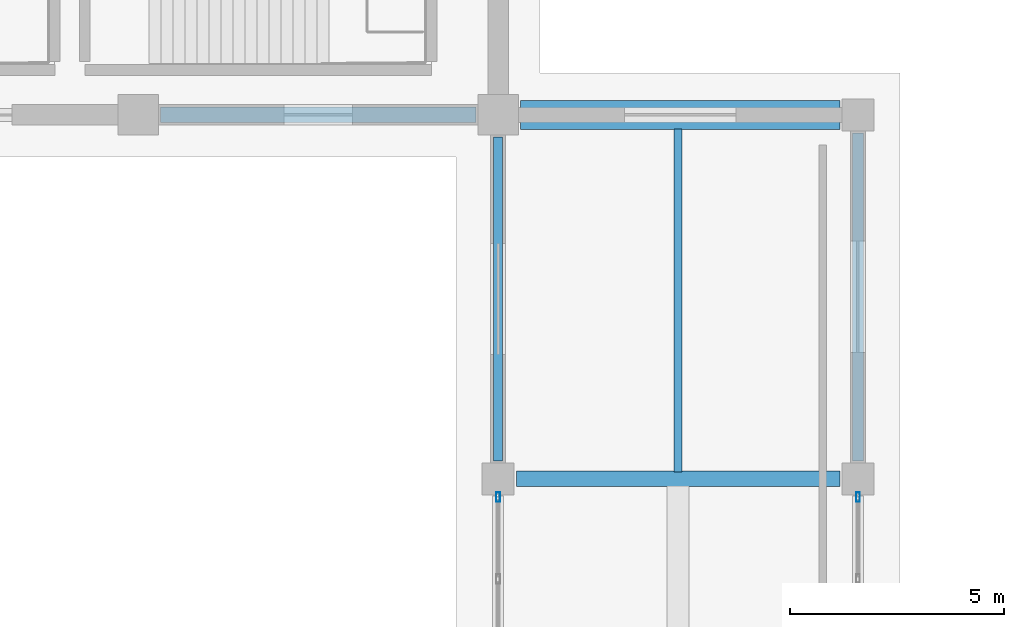
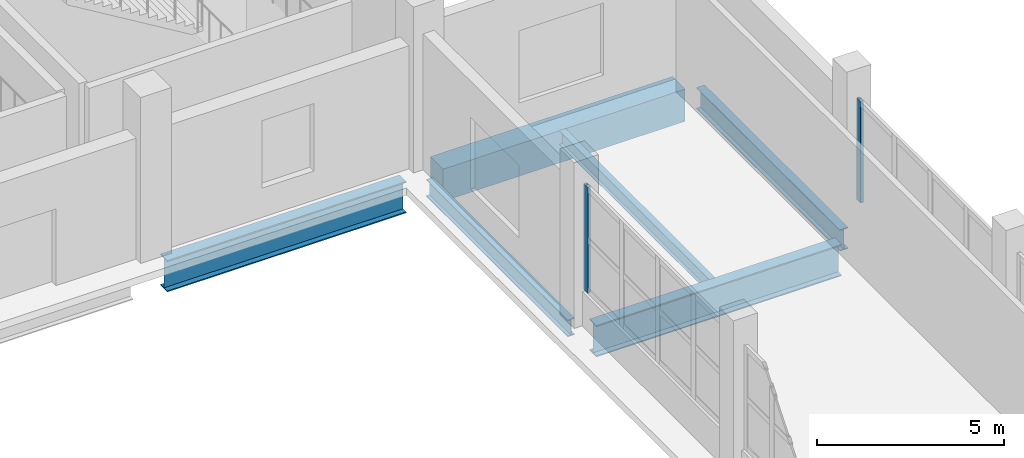
# One storey, part 53 of 107: 6 beams, 2 members, 2 elements without a shape of their own.
"""IFC4 building model written with IfcOpenShell, lengths in metres."""

from ifc_helpers import new_model, si_unit, direction, frame, origin, origin_2d, place, context, subcontext, project, spatial, rectangle, hollow_rectangle, i_section, extrude, material, material_profile, profile_set, type_object, element, aggregate, save


model = new_model("IFC4")

# Units and contexts
model_context = context("Model", 3, precision=1e-05, world=origin(), true_north=direction((0.0, 1.0)))
body_context = subcontext(model_context, "Body", "Model", "MODEL_VIEW")
ifc_project = project(units=[si_unit("LENGTHUNIT", "METRE"), si_unit("AREAUNIT", "SQUARE_METRE"), si_unit("VOLUMEUNIT", "CUBIC_METRE"), si_unit("PLANEANGLEUNIT", "RADIAN"), si_unit("MASSUNIT", "GRAM", prefix="KILO")], contexts=[model_context])

# Site, building, storey
site_placement = place(None, origin())
site = spatial("IfcSite", under=ifc_project, at=site_placement, CompositionType="ELEMENT")
building_placement = place(site_placement, origin())
building = spatial("IfcBuilding", under=site, at=building_placement, Name="Solvento Point Concert Hall", CompositionType="ELEMENT")
storey_placement = place(building_placement, origin())
storey = spatial("IfcBuildingStorey", under=building, at=storey_placement, Name="L00", CompositionType="ELEMENT", Elevation=0.0)

# Beams
ifc_material_1 = material(Name="Structural Steel ASTM A992 Grade 50", Category="steel")
ifc_material_profile_1 = material_profile(ifc_material_1, i_section(OverallWidth=0.214111328125, OverallDepth=0.549072265625, WebThickness=0.0146484375, FlangeThickness=0.023681640625, at=origin_2d()), Name="W21X93")
ifc_profile_set_1 = profile_set([ifc_material_profile_1], Name="Structural Steel ASTM A992 Grade 50")
beam_type_1 = type_object("IfcBeamType", Name="Beam_W21X93", PredefinedType="BEAM", material=ifc_profile_set_1)
beam_1_placement = place(storey_placement, frame((133.199951171875, 34.424072265625, -0.57861328125), z_axis=(0.0, 1.0, 0.0), x_axis=(-1.0, 0.0, 0.0)))
element("IfcBeam", 1, at=beam_1_placement, inside=storey, type_object=beam_type_1, Name="Primary girder B-48 L00", PredefinedType="BEAM", context=body_context, shape_type="SweptSolid", body=[
    extrude(i_section(OverallWidth=0.214111328125, OverallDepth=0.549072265625, WebThickness=0.0146484375, FlangeThickness=0.023681640625, at=origin_2d()), origin(), (0.0, 0.0, 1.0), 7.556884765625),
])
ifc_material_2 = material(Name="Concrete C35/45", Category="concrete")
ifc_material_profile_2 = material_profile(ifc_material_2, rectangle(XDim=0.679931640625, YDim=1.050048828125, at=origin_2d()), Name="RC-BM-680X1050")
ifc_profile_set_2 = profile_set([ifc_material_profile_2], Name="Concrete C35/45")
beam_type_2 = type_object("IfcBeamType", Name="Girder_RC_680x1050", PredefinedType="USERDEFINED", material=ifc_profile_set_2)
beam_2_placement = place(storey_placement, frame((133.718994140625, 42.5, -0.8291015625), z_axis=(1.0, 0.0, 0.0), x_axis=(0.0, 1.0, 0.0)))
element("IfcBeam", 2, at=beam_2_placement, inside=storey, type_object=beam_type_2, Name="Primary girder B-91 L00", ObjectType="GIRDER", PredefinedType="USERDEFINED", context=body_context, shape_type="SweptSolid", body=[
    extrude(rectangle(XDim=0.679931640625, YDim=1.050048828125, at=origin_2d()), origin(), (0.0, 0.0, 1.0), 7.45703125),
])
ifc_material_3 = material(Name="Structural Steel ASTM A992 Grade 50", Category="steel")
ifc_material_profile_3 = material_profile(ifc_material_3, i_section(OverallWidth=0.256103515625, OverallDepth=0.693115234375, WebThickness=0.014404296875, FlangeThickness=0.023681640625, at=origin_2d()), Name="W27X114")
ifc_profile_set_3 = profile_set([ifc_material_profile_3], Name="Structural Steel ASTM A992 Grade 50")
beam_type_3 = type_object("IfcBeamType", Name="Girder_W27X114", PredefinedType="USERDEFINED", material=ifc_profile_set_3)
beam_3_placement = place(storey_placement, frame((141.60009765625, 34.424072265625, -0.650390625), z_axis=(0.0, 1.0, 0.0), x_axis=(-1.0, 0.0, 0.0)))
element("IfcBeam", 3, at=beam_3_placement, inside=storey, type_object=beam_type_3, Name="Primary girder B-23 L00", ObjectType="GIRDER", PredefinedType="USERDEFINED", context=body_context, shape_type="SweptSolid", body=[
    extrude(i_section(OverallWidth=0.256103515625, OverallDepth=0.693115234375, WebThickness=0.014404296875, FlangeThickness=0.023681640625, at=origin_2d()), origin(), (0.0, 0.0, 1.0), 7.65185546875),
])
ifc_material_4 = material(Name="Structural Steel ASTM A992 Grade 50", Category="steel")
ifc_material_profile_4 = material_profile(ifc_material_4, i_section(OverallWidth=0.361083984375, OverallDepth=1.02587890625, WebThickness=0.01904296875, FlangeThickness=0.0361328125, at=origin_2d()), Name="W40X249")
ifc_profile_set_4 = profile_set([ifc_material_profile_4], Name="Structural Steel ASTM A992 Grade 50")
beam_type_4 = type_object("IfcBeamType", Name="Girder_W40X249", PredefinedType="USERDEFINED", material=ifc_profile_set_4)
beam_4_placement = place(storey_placement, frame((133.6240234375, 34.0, -0.81689453125), z_axis=(1.0, 0.0, 0.0), x_axis=(0.0, 1.0, 0.0)))
element("IfcBeam", 4, at=beam_4_placement, inside=storey, type_object=beam_type_4, Name="Primary girder B-29 L00", ObjectType="GIRDER", PredefinedType="USERDEFINED", context=body_context, shape_type="SweptSolid", body=[
    extrude(i_section(OverallWidth=0.361083984375, OverallDepth=1.02587890625, WebThickness=0.01904296875, FlangeThickness=0.0361328125, at=origin_2d()), origin(), (0.0, 0.0, 1.0), 7.552001953125),
])
beam_5_placement = place(storey_placement, frame((125.319091796875, 42.5, -0.947021484375), z_axis=(1.0, 0.0, 0.0), x_axis=(0.0, 1.0, 0.0)))
element("IfcBeam", 5, at=beam_5_placement, inside=storey, type_object=beam_type_4, Name="Primary girder B-29 L00", ObjectType="GIRDER", PredefinedType="USERDEFINED", context=body_context, shape_type="SweptSolid", body=[
    extrude(i_section(OverallWidth=0.361083984375, OverallDepth=1.02587890625, WebThickness=0.01904296875, FlangeThickness=0.0361328125, at=origin_2d()), origin(), (0.0, 0.0, 1.0), 7.36181640625),
])
ifc_material_5 = material(Name="Structural Steel ASTM A992 Grade 50", Category="steel")
ifc_material_profile_5 = material_profile(ifc_material_5, i_section(OverallWidth=0.1904296875, OverallDepth=0.45703125, WebThickness=0.009033203125, FlangeThickness=0.014404296875, at=origin_2d()), Name="W18X50")
ifc_profile_set_5 = profile_set([ifc_material_profile_5], Name="Structural Steel ASTM A992 Grade 50")
beam_type_5 = type_object("IfcBeamType", Name="Joist_W18X50", PredefinedType="JOIST", material=ifc_profile_set_5)
beam_6_placement = place(storey_placement, frame((137.39990234375, 34.16552734375, -0.532470703125), z_axis=(0.0, 1.0, 0.0), x_axis=(-1.0, 0.0, 0.0)))
element("IfcBeam", 6, at=beam_6_placement, inside=storey, type_object=beam_type_5, Name="Secondary floor joist B-66 L00", PredefinedType="JOIST", context=body_context, shape_type="SweptSolid", body=[
    extrude(i_section(OverallWidth=0.1904296875, OverallDepth=0.45703125, WebThickness=0.009033203125, FlangeThickness=0.014404296875, at=origin_2d()), origin(), (0.0, 0.0, 1.0), 8.009521484375),
])

# Curtain wall, member
ifc_material_6 = material(Name="Anodized Bronze Aluminium", Category="aluminium")
curtain_wall_type = type_object("IfcCurtainWallType", Name="CurtainWall_CafeVeranda", PredefinedType="USERDEFINED", material=ifc_material_6)
curtain_wall_1_placement = place(storey_placement, origin())
curtain_wall_1 = element("IfcCurtainWall", 7, at=curtain_wall_1_placement, inside=storey, type_object=curtain_wall_type, Name="Unitised curtain wall CW-42 UCW-L00-037", ObjectType="UNITISED CURTAIN WALL", PredefinedType="USERDEFINED")
ifc_material_7 = material(Name="Anodized Bronze Aluminium", Category="aluminium")
ifc_material_profile_6 = material_profile(ifc_material_7, hollow_rectangle(XDim=0.090087890625, YDim=0.219970703125, WallThickness=0.00439453125, at=origin_2d()), Name="CW-MUL-90X220")
ifc_profile_set_6 = profile_set([ifc_material_profile_6], Name="Anodized Bronze Aluminium")
member_type = type_object("IfcMemberType", Name="Mullion_90x220", PredefinedType="MULLION", material=ifc_profile_set_6)
member_1_placement = place(storey_placement, frame((141.60009765625, 33.574951171875, 1.1201171875), z_axis=(0.0, 0.0, 1.0), x_axis=(1.0, 0.0, 0.0)))
member_1 = element("IfcMember", 8, at=member_1_placement, type_object=member_type, Name="Curtain wall mullion ML-02", PredefinedType="MULLION", context=body_context, shape_type="SweptSolid", body=[
    extrude(hollow_rectangle(XDim=0.090087890625, YDim=0.219970703125, WallThickness=0.00439453125, at=origin_2d()), origin(), (0.0, 0.0, 1.0), 3.310791015625),
])
aggregate(curtain_wall_1, [member_1])

curtain_wall_2_placement = place(storey_placement, origin())
curtain_wall_2 = element("IfcCurtainWall", 9, at=curtain_wall_2_placement, inside=storey, type_object=curtain_wall_type, Name="Unitised curtain wall CW-42 UCW-L00-058", ObjectType="UNITISED CURTAIN WALL", PredefinedType="USERDEFINED")
member_2_placement = place(storey_placement, frame((133.199951171875, 33.574951171875, 1.1201171875), z_axis=(0.0, 0.0, 1.0), x_axis=(1.0, 0.0, 0.0)))
member_2 = element("IfcMember", 10, at=member_2_placement, type_object=member_type, Name="Curtain wall mullion ML-02", PredefinedType="MULLION", context=body_context, shape_type="SweptSolid", body=[
    extrude(hollow_rectangle(XDim=0.090087890625, YDim=0.219970703125, WallThickness=0.00439453125, at=origin_2d()), origin(), (0.0, 0.0, 1.0), 3.454833984375),
])
aggregate(curtain_wall_2, [member_2])

save(model, "model.ifc")
